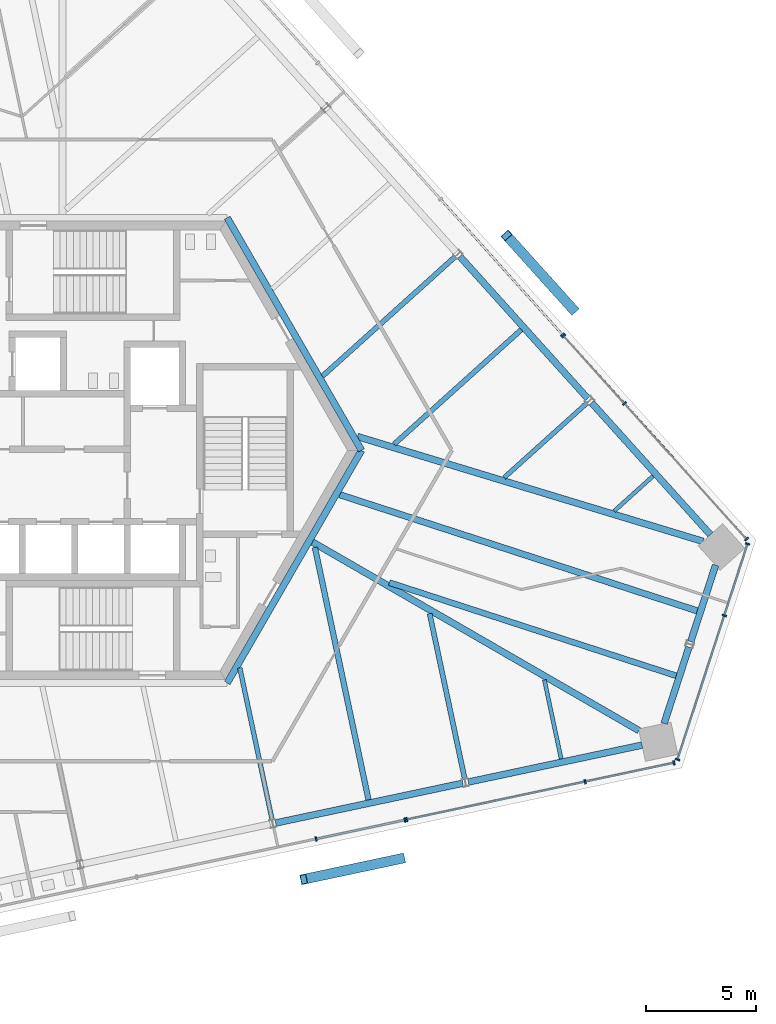
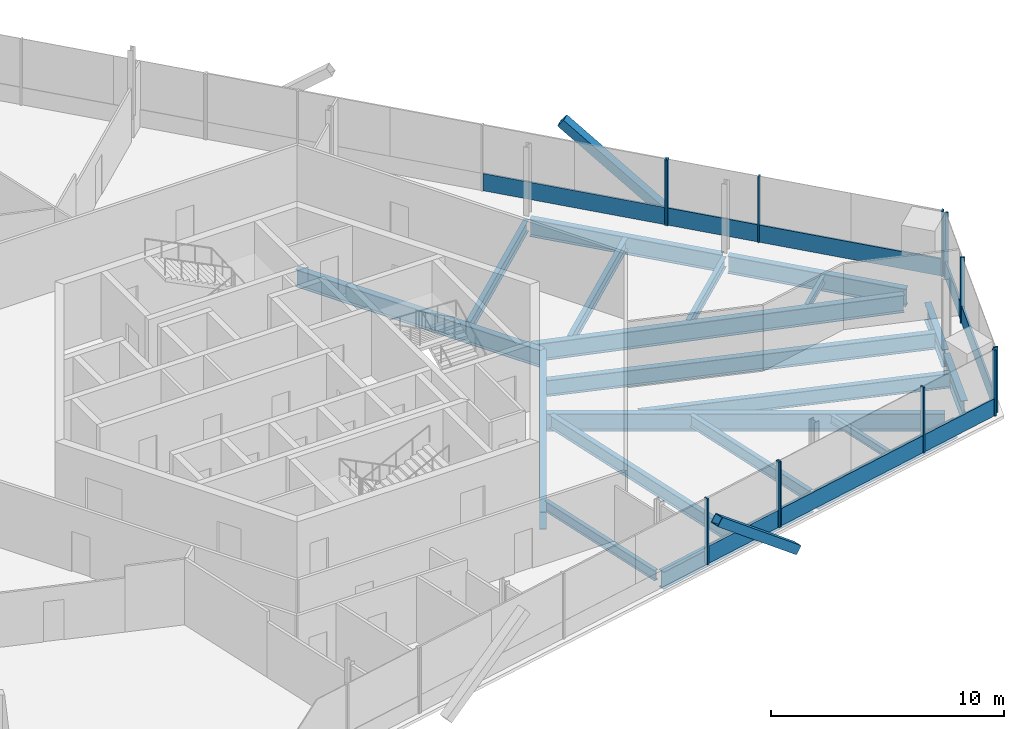
# One storey, part 6 of 15: 22 members, 20 beams, 5 elements without a shape of their own.
"""IFC4 building model written with IfcOpenShell, lengths in metres."""

import ifcopenshell
import ifcopenshell.guid

model = None  # the IFC model being written
_history = None  # IfcOwnerHistory: only IFC2X3 demands one
_inside = {}  # id of a spatial element -> (the spatial element, [elements in it])
_under = {}  # id of a project, library or spatial element -> (it, [spatial elements below it])
_declared = {}  # id of a project -> (the project, [libraries it declares])
_typed = {}  # id of a type object -> (the type object, [elements of that type])
_made_of = {}  # id of a material, layer set ... -> (it, [elements and type objects made of it])


def new_model(schema):
    """Start an empty IFC model of exactly this schema.

    Asked for "IFC4X3", IfcOpenShell would pick the latest addendum, in which some entities
    have other attributes; the version numbers below select the first issue.
    IFC2X3 requires an IfcOwnerHistory on every rooted entity: one is made here for all.
    """
    global model, _history
    if schema == "IFC4X3":
        model = ifcopenshell.file(schema_version=(4, 3, 0, 0))
    else:
        model = ifcopenshell.file(schema=schema)
    _inside.clear()
    _under.clear()
    _declared.clear()
    _typed.clear()
    _made_of.clear()
    _history = None
    if model.schema == "IFC2X3":
        org = make("IfcOrganization", Name="unknown")
        user = make(
            "IfcPersonAndOrganization",
            ThePerson=make("IfcPerson", FamilyName="unknown"),
            TheOrganization=org,
        )
        app = make(
            "IfcApplication",
            ApplicationDeveloper=org,
            Version="unknown",
            ApplicationFullName="unknown",
            ApplicationIdentifier="unknown",
        )
        _history = make(
            "IfcOwnerHistory",
            OwningUser=user,
            OwningApplication=app,
            ChangeAction="ADDED",
            CreationDate=0,
        )
    return model


def make(cls, **values):
    """One entity of the class cls with the attributes given. An attribute that is None is left unset."""
    return model.create_entity(
        cls, **{name: value for name, value in values.items() if value is not None}
    )


def rooted(cls, **values):
    """An entity with a GlobalId (a new one), such as an element, a storey or a relation."""
    return make(cls, GlobalId=ifcopenshell.guid.new(), OwnerHistory=_history, **values)


def si_unit(unit_type, name, prefix=None):
    """IfcSIUnit, for example si_unit("LENGTHUNIT", "METRE", prefix="MILLI")."""
    return make("IfcSIUnit", UnitType=unit_type, Prefix=prefix, Name=name)


def assignment(units):
    """IfcUnitAssignment: the units of a project."""
    return None if units is None else make("IfcUnitAssignment", Units=units)


def point(xyz):
    """IfcCartesianPoint."""
    return None if xyz is None else make("IfcCartesianPoint", Coordinates=xyz)


def direction(xyz):
    """IfcDirection."""
    return None if xyz is None else make("IfcDirection", DirectionRatios=xyz)


def frame(location, z_axis=None, x_axis=None):
    """IfcAxis2Placement3D, a coordinate frame: its origin and axes. An axis left out is left unset."""
    return make(
        "IfcAxis2Placement3D",
        Location=point(location),
        Axis=direction(z_axis),
        RefDirection=direction(x_axis),
    )


def frame_2d(location, x_axis=None):
    """IfcAxis2Placement2D, a coordinate frame in the plane: its origin and x axis."""
    return make(
        "IfcAxis2Placement2D", Location=point(location), RefDirection=direction(x_axis)
    )


def origin():
    """The frame at (0, 0, 0) with its axes left unset."""
    return frame((0.0, 0.0, 0.0))


def origin_2d():
    """The frame at (0, 0) in the plane with its x axis left unset."""
    return frame_2d((0.0, 0.0))


def place(relative_to, where):
    """IfcLocalPlacement: puts the frame where relative to a parent placement (None: the world)."""
    return make(
        "IfcLocalPlacement", PlacementRelTo=relative_to, RelativePlacement=where
    )


def context(
    kind, dimensions, precision=None, world=None, true_north=None, identifier=None
):
    """IfcGeometricRepresentationContext, for example the 3D "Model" context."""
    return make(
        "IfcGeometricRepresentationContext",
        ContextIdentifier=identifier,
        ContextType=kind,
        CoordinateSpaceDimension=dimensions,
        Precision=precision,
        WorldCoordinateSystem=world,
        TrueNorth=true_north,
    )


def subcontext(parent, identifier, kind, view, scale=None):
    """IfcGeometricRepresentationSubContext, for example "Body" below "Model"."""
    return make(
        "IfcGeometricRepresentationSubContext",
        ContextIdentifier=identifier,
        ContextType=kind,
        ParentContext=parent,
        TargetScale=scale,
        TargetView=view,
    )


def project(units=None, contexts=None):
    """IfcProject with its units and contexts."""
    return rooted(
        "IfcProject",
        Name="project",
        RepresentationContexts=contexts,
        UnitsInContext=assignment(units),
    )


def spatial(cls, under=None, at=None, **own):
    """A site, building, storey or space (cls), placed at a placement, below another one or the project."""
    s = rooted(cls, ObjectPlacement=at, **own)
    if under is not None:
        _under.setdefault(under.id(), (under, []))[1].append(s)
    return s


def profile(cls, at=None, kind="AREA", **sizes):
    """A parametric profile (cls). Its sizes go by their IFC names, for example OverallWidth=200.0."""
    return make(cls, ProfileType=kind, Position=at, **sizes)


def rectangle(**sizes):
    """IfcRectangleProfileDef."""
    return profile("IfcRectangleProfileDef", **sizes)


def hollow_rectangle(**sizes):
    """IfcRectangleHollowProfileDef."""
    return profile("IfcRectangleHollowProfileDef", **sizes)


def i_section(**sizes):
    """IfcIShapeProfileDef."""
    return profile("IfcIShapeProfileDef", **sizes)


def extrude(swept, where, along, depth):
    """IfcExtrudedAreaSolid: the profile swept, set in the frame where, extruded along a direction by depth."""
    return make(
        "IfcExtrudedAreaSolid",
        SweptArea=swept,
        Position=where,
        ExtrudedDirection=direction(along),
        Depth=depth,
    )


def shape(context_of_items, identifier, shape_type, items):
    """IfcShapeRepresentation: the items that make up one representation, for example the "Body"."""
    return make(
        "IfcShapeRepresentation",
        ContextOfItems=context_of_items,
        RepresentationIdentifier=identifier,
        RepresentationType=shape_type,
        Items=items,
    )


def source(mapping_origin, context_of_items, identifier, shape_type, items):
    """IfcRepresentationMap: a shape defined once, which mapped items show again and again."""
    return make(
        "IfcRepresentationMap",
        MappingOrigin=mapping_origin,
        MappedRepresentation=shape(context_of_items, identifier, shape_type, items),
    )


def transform(
    local_origin,
    x_axis=None,
    y_axis=None,
    z_axis=None,
    scale=None,
    scale2=None,
    scale3=None,
    uniform=True,
):
    """IfcCartesianTransformationOperator3D, or its non-uniform kind. x_axis, y_axis, z_axis: its Axis1, 2, 3."""
    if uniform:
        return make(
            "IfcCartesianTransformationOperator3D",
            Axis1=direction(x_axis),
            Axis2=direction(y_axis),
            LocalOrigin=point(local_origin),
            Scale=scale,
            Axis3=direction(z_axis),
        )
    return make(
        "IfcCartesianTransformationOperator3DnonUniform",
        Axis1=direction(x_axis),
        Axis2=direction(y_axis),
        LocalOrigin=point(local_origin),
        Scale=scale,
        Axis3=direction(z_axis),
        Scale2=scale2,
        Scale3=scale3,
    )


def mapped(mapping_source, mapping_target):
    """IfcMappedItem: shows the shape of a source again, moved by a transform."""
    return make(
        "IfcMappedItem", MappingSource=mapping_source, MappingTarget=mapping_target
    )


def material(Name=None, Category=None):
    """IfcMaterial."""
    return make("IfcMaterial", Name=Name, Category=Category)


def material_profile(
    of_material, cross_section, Name=None, Category=None, Priority=None
):
    """IfcMaterialProfile: a cross section and its material."""
    return make(
        "IfcMaterialProfile",
        Name=Name,
        Material=of_material,
        Profile=cross_section,
        Priority=Priority,
        Category=Category,
    )


def profile_set(profiles, Name=None, composite=None):
    """IfcMaterialProfileSet."""
    return make(
        "IfcMaterialProfileSet",
        Name=Name,
        MaterialProfiles=profiles,
        CompositeProfile=composite,
    )


def made_of(thing, what):
    """Note that an element or type object is made of a material, layer set ...; save() writes the relation."""
    if what is not None:
        _made_of.setdefault(what.id(), (what, []))[1].append(thing)
    return thing


def type_object(cls, material=None, **own):
    """A type object (cls), such as IfcWallType, which elements share."""
    return made_of(rooted(cls, **own), material)


def element(
    cls,
    number,
    at=None,
    inside=None,
    cuts=None,
    type_object=None,
    material=None,
    context=None,
    identifier="Body",
    shape_type=None,
    held_by="IfcProductDefinitionShape",
    body=None,
    shapes=None,
    **own,
):
    """One element of the class cls, such as IfcWall. Its Tag is "e" and its number.

    at: its placement. inside: the storey or other place that contains it. cuts: it is an
    opening in that element (IfcRelVoidsElement). A single representation is given by context,
    identifier, shape_type and body (its items); several are given by shapes. held_by: the class
    of the entity that holds the representations. save() writes the other relations.
    """
    e = rooted(cls, Tag="e%d" % number, ObjectPlacement=at, **own)
    if body is not None:
        shapes = [shape(context, identifier, shape_type, body)]
    if shapes is not None:
        e.Representation = make(held_by, Representations=shapes)
    if inside is not None:
        _inside.setdefault(inside.id(), (inside, []))[1].append(e)
    if cuts is not None:
        rooted(
            "IfcRelVoidsElement", RelatingBuildingElement=cuts, RelatedOpeningElement=e
        )
    if type_object is not None:
        _typed.setdefault(type_object.id(), (type_object, []))[1].append(e)
    return made_of(e, material)


def aggregate(whole, parts):
    """IfcRelAggregates: a whole, such as a stair, and the parts it consists of."""
    return rooted("IfcRelAggregates", RelatingObject=whole, RelatedObjects=parts)


def save(model, path):
    """Write the relations noted so far, then the file.

    IfcRelAggregates (storeys below a building ...), IfcRelContainedInSpatialStructure (elements
    in a storey), IfcRelDefinesByType, IfcRelAssociatesMaterial and IfcRelDeclares: one each for
    every whole, place, type object, material and project.
    """
    for whole, parts in _under.values():
        aggregate(whole, parts)
    for where, things in _inside.values():
        rooted(
            "IfcRelContainedInSpatialStructure",
            RelatedElements=things,
            RelatingStructure=where,
        )
    for kind, things in _typed.values():
        rooted("IfcRelDefinesByType", RelatedObjects=things, RelatingType=kind)
    for what, things in _made_of.values():
        rooted("IfcRelAssociatesMaterial", RelatedObjects=things, RelatingMaterial=what)
    for by, libraries in _declared.values():
        rooted("IfcRelDeclares", RelatingContext=by, RelatedDefinitions=libraries)
    model.write(path)


model = new_model("IFC4")

# Units and contexts
model_context = context("Model", 3, precision=1e-05, world=origin(), true_north=direction((0.0, 1.0)))
body_context = subcontext(model_context, "Body", "Model", "MODEL_VIEW")
ifc_project = project(units=[si_unit("LENGTHUNIT", "METRE"), si_unit("AREAUNIT", "SQUARE_METRE"), si_unit("VOLUMEUNIT", "CUBIC_METRE"), si_unit("PLANEANGLEUNIT", "RADIAN"), si_unit("MASSUNIT", "GRAM", prefix="KILO")], contexts=[model_context])

# Site, building, storey
site_placement = place(None, origin())
site = spatial("IfcSite", under=ifc_project, at=site_placement, CompositionType="ELEMENT")
building_placement = place(site_placement, origin())
building = spatial("IfcBuilding", under=site, at=building_placement, Name="Triune Harvest Tower", CompositionType="ELEMENT")
storey_placement = place(building_placement, frame((0.0, 0.0, 270.300048828125)))
storey = spatial("IfcBuildingStorey", under=building, at=storey_placement, Name="L71", CompositionType="ELEMENT", Elevation=270.300048828125)

# Beams
ifc_material_1 = material(Name="Steel ASTM A992 Gr 50", Category="steel")
ifc_material_profile_1 = material_profile(ifc_material_1, i_section(OverallWidth=0.3046875, OverallDepth=0.914306640625, WebThickness=0.0166015625, FlangeThickness=0.02587890625, at=origin_2d()), Name="W36x160")
ifc_profile_set_1 = profile_set([ifc_material_profile_1], Name="Steel ASTM A992 Gr 50")
beam_type_1 = type_object("IfcBeamType", Name="CG-1 Core ring girder W36x160", PredefinedType="BEAM", material=ifc_profile_set_1)
shared_shape_1 = source(origin(), body_context, "Body", "SweptSolid", [
    extrude(i_section(OverallWidth=0.3046875, OverallDepth=0.914306640625, WebThickness=0.0166015625, FlangeThickness=0.02587890625, at=origin_2d()), origin(), (0.0, 0.0, 1.0), 12.176025390625),
])
for number, where, z_axis, x_axis, name in (
    (1, (12.176025390625, 0.0, -0.6171875), (-0.5000099932, 0.866019634131, 0.0), (-0.866019634131, -0.5000099932, 0.0), "beam/L71/CG1"),
    (2, (6.087890625, -10.544677734375, -0.6171875), (0.5000099932, 0.866019634131, 0.0), (-0.866019634131, 0.5000099932, 0.0), "beam/L71/CG6"),
):
    element("IfcBeam", number, at=place(storey_placement, frame(where, z_axis=z_axis, x_axis=x_axis)), inside=storey, type_object=beam_type_1, Name=name, PredefinedType="BEAM", context=body_context, shape_type="MappedRepresentation", body=[
        mapped(shared_shape_1, transform((0.0, 0.0, 0.0), scale=1.0)),
    ])
ifc_material_2 = material(Name="Steel ASTM A992 Gr 50", Category="steel")
ifc_material_profile_2 = material_profile(ifc_material_2, i_section(OverallWidth=0.3046875, OverallDepth=0.914306640625, WebThickness=0.0166015625, FlangeThickness=0.02587890625, at=origin_2d()), Name="W36x160")
ifc_profile_set_2 = profile_set([ifc_material_profile_2], Name="Steel ASTM A992 Gr 50")
beam_type_2 = type_object("IfcBeamType", Name="SB-1 Spandrel beam W36x160", PredefinedType="SPANDREL", material=ifc_profile_set_2)
shared_shape_2 = source(origin(), body_context, "Body", "SweptSolid", [
    extrude(i_section(OverallWidth=0.3046875, OverallDepth=0.914306640625, WebThickness=0.0166015625, FlangeThickness=0.02587890625, at=origin_2d()), origin(), (0.0, 0.0, 1.0), 8.0498046875),
])
beam_1_placement = place(storey_placement, frame((27.991455078125, -3.82177734375, -0.6171875), z_axis=(-0.669137301084, 0.743138797465, 0.0), x_axis=(-0.743138797465, -0.669137301084, 0.0)))
element("IfcBeam", 3, at=beam_1_placement, inside=storey, type_object=beam_type_2, Name="beam/L71/SB1", PredefinedType="SPANDREL", context=body_context, shape_type="MappedRepresentation", body=[
    mapped(shared_shape_2, transform((0.0, 0.0, 0.0), scale=1.0)),
])
shared_shape_3 = source(origin(), body_context, "Body", "SweptSolid", [
    extrude(i_section(OverallWidth=0.3046875, OverallDepth=0.914306640625, WebThickness=0.0166015625, FlangeThickness=0.02587890625, at=origin_2d()), origin(), (0.0, 0.0, 1.0), 8.671630859375),
])
beam_2_placement = place(storey_placement, frame((22.433349609375, 2.350830078125, -0.6171875), z_axis=(-0.669114044563, 0.743159737452, 0.0), x_axis=(-0.743159737452, -0.669114044563, 0.0)))
element("IfcBeam", 4, at=beam_2_placement, inside=storey, type_object=beam_type_2, Name="beam/L71/SB2", PredefinedType="SPANDREL", context=body_context, shape_type="MappedRepresentation", body=[
    mapped(shared_shape_3, transform((0.0, 0.0, 0.0), scale=1.0)),
])
shared_shape_4 = source(origin(), body_context, "Body", "SweptSolid", [
    extrude(i_section(OverallWidth=0.3046875, OverallDepth=0.914306640625, WebThickness=0.0166015625, FlangeThickness=0.02587890625, at=origin_2d()), origin(), (0.0, 0.0, 1.0), 8.67138671875),
])
beam_3_placement = place(storey_placement, frame((8.28515625, -16.890869140625, -0.6171875), z_axis=(0.978145539793, 0.207921386546, 0.0), x_axis=(-0.207921386546, 0.978145539793, 0.0)))
element("IfcBeam", 5, at=beam_3_placement, inside=storey, type_object=beam_type_2, Name="beam/L71/SB18", PredefinedType="SPANDREL", context=body_context, shape_type="MappedRepresentation", body=[
    mapped(shared_shape_4, transform((0.0, 0.0, 0.0), scale=1.0)),
])
shared_shape_5 = source(origin(), body_context, "Body", "SweptSolid", [
    extrude(i_section(OverallWidth=0.3046875, OverallDepth=0.914306640625, WebThickness=0.0166015625, FlangeThickness=0.02587890625, at=origin_2d()), origin(), (0.0, 0.0, 1.0), 3.645751953125),
])
for number, where, z_axis, x_axis, name in (
    (6, (25.89306640625, -12.38134765625, -0.6171875), (0.309046702753, 0.951046862945, 0.0), (-0.951046862945, 0.309046702753, 0.0), "beam/L71/SB20"),
    (7, (27.09912109375, -8.670166015625, -0.6171875), (0.308986131058, 0.951066543841, 0.0), (-0.951066543841, 0.308986131058, 0.0), "beam/L71/SB21"),
):
    element("IfcBeam", number, at=place(storey_placement, frame(where, z_axis=z_axis, x_axis=x_axis)), inside=storey, type_object=beam_type_2, Name=name, PredefinedType="SPANDREL", context=body_context, shape_type="MappedRepresentation", body=[
        mapped(shared_shape_5, transform((0.0, 0.0, 0.0), scale=1.0)),
    ])
shared_shape_6 = source(origin(), body_context, "Body", "SweptSolid", [
    extrude(i_section(OverallWidth=0.3046875, OverallDepth=0.914306640625, WebThickness=0.0166015625, FlangeThickness=0.02587890625, at=origin_2d()), origin(), (0.0, 0.0, 1.0), 8.049560546875),
])
beam_4_placement = place(storey_placement, frame((17.01806640625, -15.034423828125, -0.6171875), z_axis=(0.978148597907, 0.207906999431, 0.0), x_axis=(-0.207906999431, 0.978148597907, 0.0)))
element("IfcBeam", 8, at=beam_4_placement, inside=storey, type_object=beam_type_2, Name="beam/L71/SB19", PredefinedType="SPANDREL", context=body_context, shape_type="MappedRepresentation", body=[
    mapped(shared_shape_6, transform((0.0, 0.0, 0.0), scale=1.0)),
])
ifc_material_3 = material(Name="Steel ASTM A992 Gr 50", Category="steel")
ifc_material_profile_3 = material_profile(ifc_material_3, i_section(OverallWidth=0.3046875, OverallDepth=0.914306640625, WebThickness=0.0166015625, FlangeThickness=0.02587890625, at=origin_2d()), Name="W36x160")
ifc_profile_set_3 = profile_set([ifc_material_profile_3], Name="Steel ASTM A992 Gr 50")
beam_type_3 = type_object("IfcBeamType", Name="HG-3 Hip girder W36x160", PredefinedType="BEAM", material=ifc_profile_set_3)
shared_shape_7 = source(origin(), body_context, "Body", "SweptSolid", [
    extrude(i_section(OverallWidth=0.3046875, OverallDepth=0.914306640625, WebThickness=0.0166015625, FlangeThickness=0.02587890625, at=origin_2d()), origin(), (0.0, 0.0, 1.0), 16.370361328125),
])
beam_5_placement = place(storey_placement, frame((27.65478515625, -4.124755859375, -0.6171875), z_axis=(-0.956924757428, 0.29033602708, 0.0), x_axis=(-0.29033602708, -0.956924757428, 0.0)))
element("IfcBeam", 9, at=beam_5_placement, inside=storey, type_object=beam_type_3, Name="beam/L71/HG1", PredefinedType="BEAM", context=body_context, shape_type="MappedRepresentation", body=[
    mapped(shared_shape_7, transform((0.0, 0.0, 0.0), scale=1.0)),
])
shared_shape_8 = source(origin(), body_context, "Body", "SweptSolid", [
    extrude(i_section(OverallWidth=0.3046875, OverallDepth=0.914306640625, WebThickness=0.0166015625, FlangeThickness=0.02587890625, at=origin_2d()), origin(), (0.0, 0.0, 1.0), 17.088623046875),
])
beam_6_placement = place(storey_placement, frame((24.75146484375, -12.700439453125, -0.6171875), z_axis=(-0.866020709961, 0.500008129852, 0.0), x_axis=(-0.500008129852, -0.866020709961, 0.0)))
element("IfcBeam", 10, at=beam_6_placement, inside=storey, type_object=beam_type_3, Name="beam/L71/HG8", PredefinedType="BEAM", context=body_context, shape_type="MappedRepresentation", body=[
    mapped(shared_shape_8, transform((0.0, 0.0, 0.0), scale=1.0)),
])
ifc_material_4 = material(Name="Steel ASTM A992 Gr 50", Category="steel")
ifc_material_profile_4 = material_profile(ifc_material_4, i_section(OverallWidth=0.180908203125, OverallDepth=0.41650390625, WebThickness=0.010986328125, FlangeThickness=0.01806640625, at=origin_2d()), Name="W16x57")
ifc_profile_set_4 = profile_set([ifc_material_profile_4], Name="Steel ASTM A992 Gr 50")
beam_type_4 = type_object("IfcBeamType", Name="JT-1 Floor joist W16x57", PredefinedType="JOIST", material=ifc_profile_set_4)
shared_shape_9 = source(origin(), body_context, "Body", "SweptSolid", [
    extrude(i_section(OverallWidth=0.180908203125, OverallDepth=0.41650390625, WebThickness=0.010986328125, FlangeThickness=0.01806640625, at=origin_2d()), origin(), (0.0, 0.0, 1.0), 2.364990234375),
])
beam_7_placement = place(storey_placement, frame((25.39306640625, -1.163818359375, -0.368408203125), z_axis=(-0.743196605909, -0.669073093888, 0.0), x_axis=(0.669073093888, -0.743196605909, 0.0)))
element("IfcBeam", 11, at=beam_7_placement, inside=storey, type_object=beam_type_4, Name="beam/L71/JT1", PredefinedType="JOIST", context=body_context, shape_type="MappedRepresentation", body=[
    mapped(shared_shape_9, transform((0.0, 0.0, 0.0), scale=1.0)),
])
ifc_material_5 = material(Name="Steel ASTM A992 Gr 50", Category="steel")
ifc_material_profile_5 = material_profile(ifc_material_5, i_section(OverallWidth=0.2099609375, OverallDepth=0.535888671875, WebThickness=0.010986328125, FlangeThickness=0.017333984375, at=origin_2d()), Name="W21x68")
ifc_profile_set_5 = profile_set([ifc_material_profile_5], Name="Steel ASTM A992 Gr 50")
beam_type_5 = type_object("IfcBeamType", Name="JT-2 Floor joist W21x68", PredefinedType="JOIST", material=ifc_profile_set_5)
shared_shape_10 = source(origin(), body_context, "Body", "SweptSolid", [
    extrude(i_section(OverallWidth=0.2099609375, OverallDepth=0.535888671875, WebThickness=0.010986328125, FlangeThickness=0.017333984375, at=origin_2d()), origin(), (0.0, 0.0, 1.0), 5.031982421875),
])
beam_8_placement = place(storey_placement, frame((22.38525390625, 2.135009765625, -0.427978515625), z_axis=(-0.743132491089, -0.669144304831, 0.0), x_axis=(0.669144304831, -0.743132491089, 0.0)))
element("IfcBeam", 12, at=beam_8_placement, inside=storey, type_object=beam_type_5, Name="beam/L71/JT2", PredefinedType="JOIST", context=body_context, shape_type="MappedRepresentation", body=[
    mapped(shared_shape_10, transform((0.0, 0.0, 0.0), scale=1.0)),
])
ifc_material_6 = material(Name="Steel ASTM A992 Gr 50", Category="steel")
ifc_material_profile_6 = material_profile(ifc_material_6, i_section(OverallWidth=0.22900390625, OverallDepth=0.612060546875, WebThickness=0.011962890625, FlangeThickness=0.01953125, at=origin_2d()), Name="W24x84")
ifc_profile_set_6 = profile_set([ifc_material_profile_6], Name="Steel ASTM A992 Gr 50")
beam_type_6 = type_object("IfcBeamType", Name="JT-3 Floor joist W24x84", PredefinedType="JOIST", material=ifc_profile_set_6)
shared_shape_11 = source(origin(), body_context, "Body", "SweptSolid", [
    extrude(i_section(OverallWidth=0.22900390625, OverallDepth=0.612060546875, WebThickness=0.011962890625, FlangeThickness=0.01953125, at=origin_2d()), origin(), (0.0, 0.0, 1.0), 7.755126953125),
])
beam_9_placement = place(storey_placement, frame((19.4189453125, 5.470947265625, -0.466064453125), z_axis=(-0.743143852868, -0.66913168655, 0.0), x_axis=(0.66913168655, -0.743143852868, 0.0)))
element("IfcBeam", 13, at=beam_9_placement, inside=storey, type_object=beam_type_6, Name="beam/L71/JT3", PredefinedType="JOIST", context=body_context, shape_type="MappedRepresentation", body=[
    mapped(shared_shape_11, transform((0.0, 0.0, 0.0), scale=1.0)),
])
shared_shape_12 = source(origin(), body_context, "Body", "SweptSolid", [
    extrude(i_section(OverallWidth=0.22900390625, OverallDepth=0.612060546875, WebThickness=0.011962890625, FlangeThickness=0.01953125, at=origin_2d()), origin(), (0.0, 0.0, 1.0), 8.076904296875),
])
beam_10_placement = place(storey_placement, frame((16.4111328125, 8.769775390625, -0.466064453125), z_axis=(-0.743136309392, -0.669140064308, 0.0), x_axis=(0.669140064308, -0.743136309392, 0.0)))
element("IfcBeam", 14, at=beam_10_placement, inside=storey, type_object=beam_type_6, Name="beam/L71/JT4", PredefinedType="JOIST", context=body_context, shape_type="MappedRepresentation", body=[
    mapped(shared_shape_12, transform((0.0, 0.0, 0.0), scale=1.0)),
])
shared_shape_13 = source(origin(), body_context, "Body", "SweptSolid", [
    extrude(i_section(OverallWidth=0.2099609375, OverallDepth=0.535888671875, WebThickness=0.010986328125, FlangeThickness=0.017333984375, at=origin_2d()), origin(), (0.0, 0.0, 1.0), 7.035400390625),
])
beam_11_placement = place(storey_placement, frame((8.122314453125, -16.7412109375, -0.427978515625), z_axis=(-0.207933876112, 0.978142884841, 0.0), x_axis=(-0.978142884841, -0.207933876112, 0.0)))
element("IfcBeam", 15, at=beam_11_placement, inside=storey, type_object=beam_type_5, Name="beam/L71/JT28", PredefinedType="JOIST", context=body_context, shape_type="MappedRepresentation", body=[
    mapped(shared_shape_13, transform((0.0, 0.0, 0.0), scale=1.0)),
])
ifc_material_7 = material(Name="Steel ASTM A992 Gr 50", Category="steel")
ifc_material_profile_7 = material_profile(ifc_material_7, i_section(OverallWidth=0.253662109375, OverallDepth=0.683349609375, WebThickness=0.012451171875, FlangeThickness=0.01904296875, at=origin_2d()), Name="W27x94")
ifc_profile_set_7 = profile_set([ifc_material_profile_7], Name="Steel ASTM A992 Gr 50")
beam_type_7 = type_object("IfcBeamType", Name="JT-4 Floor joist W27x94", PredefinedType="JOIST", material=ifc_profile_set_7)
shared_shape_14 = source(origin(), body_context, "Body", "SweptSolid", [
    extrude(i_section(OverallWidth=0.253662109375, OverallDepth=0.683349609375, WebThickness=0.012451171875, FlangeThickness=0.01904296875, at=origin_2d()), origin(), (0.0, 0.0, 1.0), 11.70068359375),
])
beam_12_placement = place(storey_placement, frame((12.494384765625, -15.84033203125, -0.501708984375), z_axis=(-0.207902925765, 0.978149463762, 0.0), x_axis=(-0.978149463762, -0.207902925765, 0.0)))
element("IfcBeam", 16, at=beam_12_placement, inside=storey, type_object=beam_type_7, Name="beam/L71/JT29", PredefinedType="JOIST", context=body_context, shape_type="MappedRepresentation", body=[
    mapped(shared_shape_14, transform((0.0, 0.0, 0.0), scale=1.0)),
])
shared_shape_15 = source(origin(), body_context, "Body", "SweptSolid", [
    extrude(i_section(OverallWidth=0.22900390625, OverallDepth=0.612060546875, WebThickness=0.011962890625, FlangeThickness=0.01953125, at=origin_2d()), origin(), (0.0, 0.0, 1.0), 7.6533203125),
])
beam_13_placement = place(storey_placement, frame((16.85498046875, -14.884765625, -0.466064453125), z_axis=(-0.207892711211, 0.978151634781, 0.0), x_axis=(-0.978151634781, -0.207892711211, 0.0)))
element("IfcBeam", 17, at=beam_13_placement, inside=storey, type_object=beam_type_6, Name="beam/L71/JT30", PredefinedType="JOIST", context=body_context, shape_type="MappedRepresentation", body=[
    mapped(shared_shape_15, transform((0.0, 0.0, 0.0), scale=1.0)),
])
shared_shape_16 = source(origin(), body_context, "Body", "SweptSolid", [
    extrude(i_section(OverallWidth=0.180908203125, OverallDepth=0.41650390625, WebThickness=0.010986328125, FlangeThickness=0.01806640625, at=origin_2d()), origin(), (0.0, 0.0, 1.0), 3.661865234375),
])
beam_14_placement = place(storey_placement, frame((21.227294921875, -13.98388671875, -0.368408203125), z_axis=(-0.20788506993, 0.9781532588, 0.0), x_axis=(-0.9781532588, -0.20788506993, 0.0)))
element("IfcBeam", 18, at=beam_14_placement, inside=storey, type_object=beam_type_4, Name="beam/L71/JT31", PredefinedType="JOIST", context=body_context, shape_type="MappedRepresentation", body=[
    mapped(shared_shape_16, transform((0.0, 0.0, 0.0), scale=1.0)),
])
ifc_material_8 = material(Name="Steel ASTM A992 Gr 50", Category="steel")
ifc_material_profile_8 = material_profile(ifc_material_8, i_section(OverallWidth=0.2666015625, OverallDepth=0.7568359375, WebThickness=0.013916015625, FlangeThickness=0.019287109375, at=origin_2d()), Name="W30x108")
ifc_profile_set_8 = profile_set([ifc_material_profile_8], Name="Steel ASTM A992 Gr 50")
beam_type_8 = type_object("IfcBeamType", Name="JT-5 Floor joist W30x108", PredefinedType="JOIST", material=ifc_profile_set_8)
shared_shape_17 = source(origin(), body_context, "Body", "SweptSolid", [
    extrude(i_section(OverallWidth=0.2666015625, OverallDepth=0.7568359375, WebThickness=0.013916015625, FlangeThickness=0.019287109375, at=origin_2d()), origin(), (0.0, 0.0, 1.0), 13.667724609375),
])
beam_15_placement = place(storey_placement, frame((26.4365234375, -10.216064453125, -0.53857421875), z_axis=(-0.951054938162, 0.309021851327, 0.0), x_axis=(-0.309021851327, -0.951054938162, 0.0)))
element("IfcBeam", 19, at=beam_15_placement, inside=storey, type_object=beam_type_8, Name="beam/L71/JT32", PredefinedType="JOIST", context=body_context, shape_type="MappedRepresentation", body=[
    mapped(shared_shape_17, transform((0.0, 0.0, 0.0), scale=1.0)),
])
ifc_material_9 = material(Name="Steel ASTM A992 Gr 50", Category="steel")
ifc_material_profile_9 = material_profile(ifc_material_9, i_section(OverallWidth=0.2919921875, OverallDepth=0.8408203125, WebThickness=0.0146484375, FlangeThickness=0.021728515625, at=origin_2d()), Name="W33x130")
ifc_profile_set_9 = profile_set([ifc_material_profile_9], Name="Steel ASTM A992 Gr 50")
beam_type_9 = type_object("IfcBeamType", Name="JT-6 Floor joist W33x130", PredefinedType="JOIST", material=ifc_profile_set_9)
shared_shape_18 = source(origin(), body_context, "Body", "SweptSolid", [
    extrude(i_section(OverallWidth=0.2919921875, OverallDepth=0.8408203125, WebThickness=0.0146484375, FlangeThickness=0.021728515625, at=origin_2d()), origin(), (0.0, 0.0, 1.0), 17.03466796875),
])
beam_16_placement = place(storey_placement, frame((27.392333984375, -7.27392578125, -0.58056640625), z_axis=(-0.951057974177, 0.30901250744, 0.0), x_axis=(-0.30901250744, -0.951057974177, 0.0)))
element("IfcBeam", 20, at=beam_16_placement, inside=storey, type_object=beam_type_9, Name="beam/L71/JT33", PredefinedType="JOIST", context=body_context, shape_type="MappedRepresentation", body=[
    mapped(shared_shape_18, transform((0.0, 0.0, 0.0), scale=1.0)),
])

# Members
ifc_material_10 = material(Name="Steel ASTM A572 Gr 50", Category="steel")
ifc_material_profile_10 = material_profile(ifc_material_10, hollow_rectangle(XDim=0.449951171875, YDim=0.449951171875, WallThickness=0.02490234375, at=origin_2d()), Name="Box 450x450x25")
ifc_profile_set_10 = profile_set([ifc_material_profile_10], Name="Steel ASTM A572 Gr 50")
member_type_1 = type_object("IfcMemberType", Name="BR-4 Brace Box 450x450x25", PredefinedType="BRACE", material=ifc_profile_set_10)
shared_shape_19 = source(origin(), body_context, "Body", "SweptSolid", [
    extrude(hollow_rectangle(XDim=0.449951171875, YDim=0.449951171875, WallThickness=0.02490234375, at=origin_2d()), origin(), (0.0, 0.0, 1.0), 5.7890625),
])
for number, where, z_axis, x_axis, name in (
    (21, (21.784912109375, 6.374755859375, 0.0), (-0.52403773596, 0.581982999859, 0.621836183545), (-0.743133466604, -0.669143221451, 0.0), "brace/B7-F1/d1/4"),
    (22, (13.99169921875, -18.5, 0.0), (-0.766029525278, -0.162829773018, 0.621840197656), (0.207918008245, -0.978146257902, 0.0), "brace/B7-F5/d2/4"),
):
    element("IfcMember", number, at=place(storey_placement, frame(where, z_axis=z_axis, x_axis=x_axis)), inside=storey, type_object=member_type_1, Name=name, PredefinedType="BRACE", context=body_context, shape_type="MappedRepresentation", body=[
        mapped(shared_shape_19, transform((0.0, 0.0, 0.0), scale=1.0)),
    ])

# Curtain wall, members
ifc_material_11 = material(Name="Aluminium bronze anodised", Category="aluminium")
curtain_wall_type_1 = type_object("IfcCurtainWallType", Name="CW-1 Tower stick curtain wall", PredefinedType="NOTDEFINED", material=ifc_material_11)
curtain_wall_1_placement = place(storey_placement, origin())
curtain_wall_1 = element("IfcCurtainWall", 23, at=curtain_wall_1_placement, inside=storey, type_object=curtain_wall_type_1, Name="CW-1 B7-F1 L71 run 1")
ifc_material_12 = material(Name="Aluminium bronze anodised", Category="aluminium")
ifc_material_profile_11 = material_profile(ifc_material_12, rectangle(XDim=0.199951171875, YDim=0.074951171875, at=origin_2d()), Name="MU-1 mullion 75 x 200")
ifc_profile_set_11 = profile_set([ifc_material_profile_11], Name="Aluminium bronze anodised")
member_type_2 = type_object("IfcMemberType", Name="MU-1 mullion 75 x 200", PredefinedType="MULLION", material=ifc_profile_set_11)
shared_shape_20 = source(origin(), body_context, "Body", "SweptSolid", [
    extrude(rectangle(XDim=0.199951171875, YDim=0.074951171875, at=origin_2d()), origin(), (0.0, 0.0, 1.0), 3.43994140625),
])
member_1_placement = place(storey_placement, frame((29.634033203125, -4.023681640625, 0.0), z_axis=(0.0, 0.0, 1.0), x_axis=(-0.743144053222, -0.669131464034, 0.0)))
member_1 = element("IfcMember", 24, at=member_1_placement, type_object=member_type_2, Name="CW-1 mullion B7-F1 1.1", PredefinedType="MULLION", context=body_context, shape_type="MappedRepresentation", body=[
    mapped(shared_shape_20, transform((0.0, 0.0, 0.0), scale=1.0)),
])
member_2_placement = place(storey_placement, frame((24.09765625, 2.125, 0.0), z_axis=(0.0, 0.0, 1.0), x_axis=(-0.743144053222, -0.669131464034, 0.0)))
member_2 = element("IfcMember", 25, at=member_2_placement, type_object=member_type_2, Name="CW-1 mullion B7-F1 1.3", PredefinedType="MULLION", context=body_context, shape_type="MappedRepresentation", body=[
    mapped(shared_shape_20, transform((0.0, 0.0, 0.0), scale=1.0)),
])
member_3_placement = place(storey_placement, frame((21.342041015625, 5.185546875, 0.0), z_axis=(0.0, 0.0, 1.0), x_axis=(-0.743144053222, -0.669131464034, 0.0)))
member_3 = element("IfcMember", 26, at=member_3_placement, type_object=member_type_2, Name="CW-1 mullion B7-F1 1.4", PredefinedType="MULLION", context=body_context, shape_type="MappedRepresentation", body=[
    mapped(shared_shape_20, transform((0.0, 0.0, 0.0), scale=1.0)),
])

# Curtain wall, member
ifc_material_13 = material(Name="Aluminium bronze anodised", Category="aluminium")
curtain_wall_type_2 = type_object("IfcCurtainWallType", Name="CW-7 Tower stick curtain wall with insulated spandrel infill", PredefinedType="NOTDEFINED", material=ifc_material_13)
curtain_wall_2_placement = place(storey_placement, origin())
curtain_wall_2 = element("IfcCurtainWall", 27, at=curtain_wall_2_placement, inside=storey, type_object=curtain_wall_type_2, Name="CW-7 B7-F1 L71 run 1001")
member_4_placement = place(storey_placement, frame((21.291748046875, 5.2412109375, 0.0), z_axis=(0.0, 0.0, 1.0), x_axis=(-0.74314408674, -0.669131426809, 0.0)))
member_4 = element("IfcMember", 28, at=member_4_placement, type_object=member_type_2, Name="CW-7 mullion B7-F1 1001.1", PredefinedType="MULLION", context=body_context, shape_type="MappedRepresentation", body=[
    mapped(shared_shape_20, transform((0.0, 0.0, 0.0), scale=1.0)),
])

# Curtain wall, members
curtain_wall_3_placement = place(storey_placement, origin())
curtain_wall_3 = element("IfcCurtainWall", 29, at=curtain_wall_3_placement, inside=storey, type_object=curtain_wall_type_2, Name="CW-7 B7-F5 L71 run 1001")
member_5_placement = place(storey_placement, frame((10.116455078125, -17.611328125, 0.0), z_axis=(0.0, 0.0, 1.0), x_axis=(-0.207913090389, 0.978147303245, 0.0)))
member_5 = element("IfcMember", 30, at=member_5_placement, type_object=member_type_2, Name="CW-7 mullion B7-F5 1001.5", PredefinedType="MULLION", context=body_context, shape_type="MappedRepresentation", body=[
    mapped(shared_shape_20, transform((0.0, 0.0, 0.0), scale=1.0)),
])
member_6_placement = place(storey_placement, frame((14.14453125, -16.755126953125, 0.0), z_axis=(0.0, 0.0, 1.0), x_axis=(-0.207913090389, 0.978147303245, 0.0)))
member_6 = element("IfcMember", 31, at=member_6_placement, type_object=member_type_2, Name="CW-7 mullion B7-F5 1001.6", PredefinedType="MULLION", context=body_context, shape_type="MappedRepresentation", body=[
    mapped(shared_shape_20, transform((0.0, 0.0, 0.0), scale=1.0)),
])

curtain_wall_4_placement = place(storey_placement, origin())
curtain_wall_4 = element("IfcCurtainWall", 32, at=curtain_wall_4_placement, inside=storey, type_object=curtain_wall_type_1, Name="CW-1 B7-F5 L71 run 2001")
member_7_placement = place(storey_placement, frame((14.218017578125, -16.739501953125, 0.0), z_axis=(0.0, 0.0, 1.0), x_axis=(-0.207909221248, 0.978148125654, 0.0)))
member_7 = element("IfcMember", 33, at=member_7_placement, type_object=member_type_2, Name="CW-1 mullion B7-F5 2001.1", PredefinedType="MULLION", context=body_context, shape_type="MappedRepresentation", body=[
    mapped(shared_shape_20, transform((0.0, 0.0, 0.0), scale=1.0)),
])
member_8_placement = place(storey_placement, frame((22.311279296875, -15.019287109375, 0.0), z_axis=(0.0, 0.0, 1.0), x_axis=(-0.207909221248, 0.978148125654, 0.0)))
member_8 = element("IfcMember", 34, at=member_8_placement, type_object=member_type_2, Name="CW-1 mullion B7-F5 2001.3", PredefinedType="MULLION", context=body_context, shape_type="MappedRepresentation", body=[
    mapped(shared_shape_20, transform((0.0, 0.0, 0.0), scale=1.0)),
])
member_9_placement = place(storey_placement, frame((26.339599609375, -14.1630859375, 0.0), z_axis=(0.0, 0.0, 1.0), x_axis=(-0.207909221248, 0.978148125654, 0.0)))
member_9 = element("IfcMember", 35, at=member_9_placement, type_object=member_type_2, Name="CW-1 mullion B7-F5 2001.4", PredefinedType="MULLION", context=body_context, shape_type="MappedRepresentation", body=[
    mapped(shared_shape_20, transform((0.0, 0.0, 0.0), scale=1.0)),
])

curtain_wall_5_placement = place(storey_placement, origin())
curtain_wall_5 = element("IfcCurtainWall", 36, at=curtain_wall_5_placement, inside=storey, type_object=curtain_wall_type_1, Name="CW-1 B7-F6 L71 run 1")
member_10_placement = place(storey_placement, frame((26.503662109375, -14.015380859375, 0.0), z_axis=(0.0, 0.0, 1.0), x_axis=(-0.951055902733, 0.309018882717, 0.0)))
member_10 = element("IfcMember", 37, at=member_10_placement, type_object=member_type_2, Name="CW-1 mullion B7-F6 1.1", PredefinedType="MULLION", context=body_context, shape_type="MappedRepresentation", body=[
    mapped(shared_shape_20, transform((0.0, 0.0, 0.0), scale=1.0)),
])
member_11_placement = place(storey_placement, frame((28.625, -7.486328125, 0.0), z_axis=(0.0, 0.0, 1.0), x_axis=(-0.951055902733, 0.309018882717, 0.0)))
member_11 = element("IfcMember", 38, at=member_11_placement, type_object=member_type_2, Name="CW-1 mullion B7-F6 1.3", PredefinedType="MULLION", context=body_context, shape_type="MappedRepresentation", body=[
    mapped(shared_shape_20, transform((0.0, 0.0, 0.0), scale=1.0)),
])
member_12_placement = place(storey_placement, frame((29.679931640625, -4.23974609375, 0.0), z_axis=(0.0, 0.0, 1.0), x_axis=(-0.951055902733, 0.309018882717, 0.0)))
member_12 = element("IfcMember", 39, at=member_12_placement, type_object=member_type_2, Name="CW-1 mullion B7-F6 1.4", PredefinedType="MULLION", context=body_context, shape_type="MappedRepresentation", body=[
    mapped(shared_shape_20, transform((0.0, 0.0, 0.0), scale=1.0)),
])
ifc_material_14 = material(Name="Aluminium bronze anodised", Category="aluminium")
ifc_material_profile_12 = material_profile(ifc_material_14, rectangle(XDim=0.090087890625, YDim=0.89990234375, at=origin_2d()), Name="TR-1 transom 90 x 900")
ifc_profile_set_12 = profile_set([ifc_material_profile_12], Name="Aluminium bronze anodised")
member_type_3 = type_object("IfcMemberType", Name="TR-1 transom 90 x 900", PredefinedType="USERDEFINED", material=ifc_profile_set_12)
shared_shape_21 = source(origin(), body_context, "Body", "SweptSolid", [
    extrude(rectangle(XDim=0.090087890625, YDim=0.89990234375, at=origin_2d()), origin(), (0.0, 0.0, 1.0), 6.7900390625),
])
member_13_placement = place(storey_placement, frame((26.515380859375, -13.979736328125, 0.449951171875), z_axis=(0.309002330593, 0.951061280722, 0.0), x_axis=(-0.951061280722, 0.309002330593, 0.0)))
member_13 = element("IfcMember", 40, at=member_13_placement, type_object=member_type_3, Name="CW-1 transom B7-F6 1.1", ObjectType="TRANSOM", PredefinedType="USERDEFINED", context=body_context, shape_type="MappedRepresentation", body=[
    mapped(shared_shape_21, transform((0.0, 0.0, 0.0), scale=1.0)),
])
shared_shape_22 = source(origin(), body_context, "Body", "SweptSolid", [
    extrude(rectangle(XDim=0.090087890625, YDim=0.89990234375, at=origin_2d()), origin(), (0.0, 0.0, 1.0), 3.338623046875),
])
member_14_placement = place(storey_placement, frame((28.63671875, -7.45068359375, 0.449951171875), z_axis=(0.309023240166, 0.951054486892, 0.0), x_axis=(-0.951054486892, 0.309023240166, 0.0)))
member_14 = element("IfcMember", 41, at=member_14_placement, type_object=member_type_3, Name="CW-1 transom B7-F6 1.2", ObjectType="TRANSOM", PredefinedType="USERDEFINED", context=body_context, shape_type="MappedRepresentation", body=[
    mapped(shared_shape_22, transform((0.0, 0.0, 0.0), scale=1.0)),
])
aggregate(curtain_wall_5, [member_10, member_11, member_12, member_13, member_14])

# Member
shared_shape_23 = source(origin(), body_context, "Body", "SweptSolid", [
    extrude(rectangle(XDim=0.090087890625, YDim=0.89990234375, at=origin_2d()), origin(), (0.0, 0.0, 1.0), 8.198974609375),
])
member_15_placement = place(storey_placement, frame((29.60888671875, -3.995849609375, 0.449951171875), z_axis=(-0.669124295874, 0.743150507415, 0.0), x_axis=(-0.743150507415, -0.669124295874, 0.0)))
member_15 = element("IfcMember", 42, at=member_15_placement, type_object=member_type_3, Name="CW-1 transom B7-F1 1.1", ObjectType="TRANSOM", PredefinedType="USERDEFINED", context=body_context, shape_type="MappedRepresentation", body=[
    mapped(shared_shape_23, transform((0.0, 0.0, 0.0), scale=1.0)),
])

member_16_placement = place(storey_placement, frame((21.2666015625, 5.26904296875, 0.449951171875), z_axis=(-0.669109489038, 0.743163839055, 0.0), x_axis=(-0.743163839055, -0.669109489038, 0.0)))
member_16 = element("IfcMember", 43, at=member_16_placement, type_object=member_type_3, Name="CW-7 transom B7-F1 1001.1", ObjectType="TRANSOM", PredefinedType="USERDEFINED", context=body_context, shape_type="MappedRepresentation", body=[
    mapped(shared_shape_23, transform((0.0, 0.0, 0.0), scale=1.0)),
])

aggregate(curtain_wall_2, [member_4, member_16])

shared_shape_24 = source(origin(), body_context, "Body", "SweptSolid", [
    extrude(rectangle(XDim=0.090087890625, YDim=0.89990234375, at=origin_2d()), origin(), (0.0, 0.0, 1.0), 4.043212890625),
])
member_17_placement = place(storey_placement, frame((24.072509765625, 2.15283203125, 0.449951171875), z_axis=(-0.669091490458, 0.743180043729, 0.0), x_axis=(-0.743180043729, -0.669091490458, 0.0)))
member_17 = element("IfcMember", 44, at=member_17_placement, type_object=member_type_3, Name="CW-1 transom B7-F1 1.2", ObjectType="TRANSOM", PredefinedType="USERDEFINED", context=body_context, shape_type="MappedRepresentation", body=[
    mapped(shared_shape_24, transform((0.0, 0.0, 0.0), scale=1.0)),
])

aggregate(curtain_wall_1, [member_1, member_2, member_3, member_15, member_17])

member_18_placement = place(storey_placement, frame((10.153076171875, -17.603759765625, 0.449951171875), z_axis=(0.978137821682, 0.207957692319, 0.0), x_axis=(-0.207957692319, 0.978137821682, 0.0)))
member_18 = element("IfcMember", 45, at=member_18_placement, type_object=member_type_3, Name="CW-7 transom B7-F5 1001.3", ObjectType="TRANSOM", PredefinedType="USERDEFINED", context=body_context, shape_type="MappedRepresentation", body=[
    mapped(shared_shape_24, transform((0.0, 0.0, 0.0), scale=1.0)),
])

aggregate(curtain_wall_3, [member_5, member_6, member_18])

shared_shape_25 = source(origin(), body_context, "Body", "SweptSolid", [
    extrude(rectangle(XDim=0.090087890625, YDim=0.89990234375, at=origin_2d()), origin(), (0.0, 0.0, 1.0), 8.19921875),
])
member_19_placement = place(storey_placement, frame((14.254638671875, -16.731689453125, 0.449951171875), z_axis=(0.978150525776, 0.207897929101, 0.0), x_axis=(-0.207897929101, 0.978150525776, 0.0)))
member_19 = element("IfcMember", 46, at=member_19_placement, type_object=member_type_3, Name="CW-1 transom B7-F5 2001.1", ObjectType="TRANSOM", PredefinedType="USERDEFINED", context=body_context, shape_type="MappedRepresentation", body=[
    mapped(shared_shape_25, transform((0.0, 0.0, 0.0), scale=1.0)),
])

shared_shape_26 = source(origin(), body_context, "Body", "SweptSolid", [
    extrude(rectangle(XDim=0.090087890625, YDim=0.89990234375, at=origin_2d()), origin(), (0.0, 0.0, 1.0), 4.04345703125),
])
member_20_placement = place(storey_placement, frame((22.347900390625, -15.011474609375, 0.449951171875), z_axis=(0.978152712315, 0.207887641265, 0.0), x_axis=(-0.207887641265, 0.978152712315, 0.0)))
member_20 = element("IfcMember", 47, at=member_20_placement, type_object=member_type_3, Name="CW-1 transom B7-F5 2001.2", ObjectType="TRANSOM", PredefinedType="USERDEFINED", context=body_context, shape_type="MappedRepresentation", body=[
    mapped(shared_shape_26, transform((0.0, 0.0, 0.0), scale=1.0)),
])

aggregate(curtain_wall_4, [member_7, member_8, member_9, member_19, member_20])

save(model, "model.ifc")
